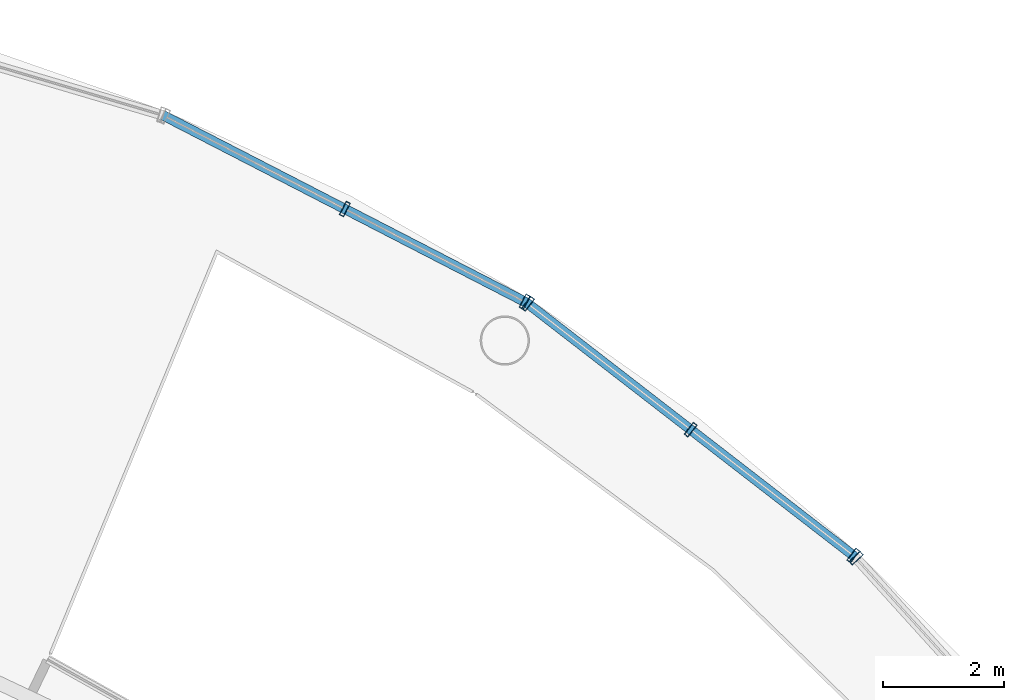
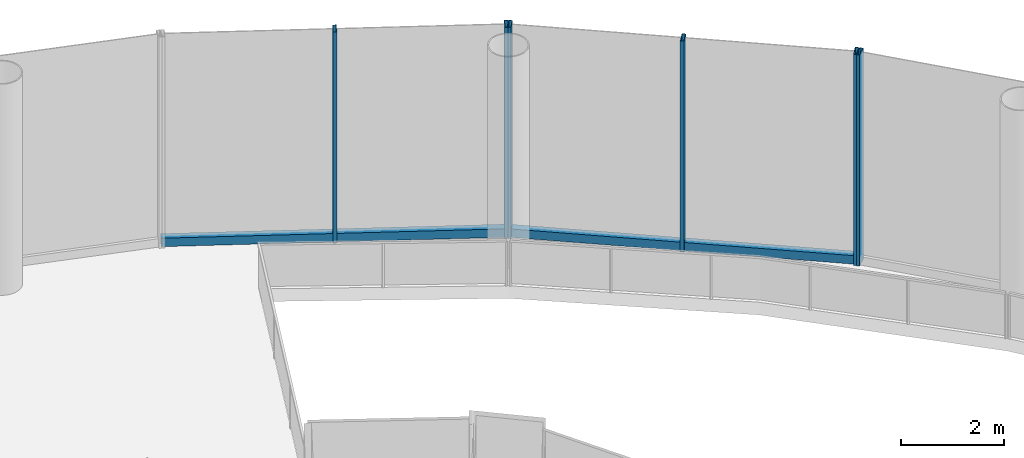
# One storey, part 36 of 48: 8 members, 3 elements without a shape of their own.
"""IFC4 building model written with IfcOpenShell, lengths in metres."""

from ifc_helpers import new_model, si_unit, direction, frame, origin, origin_2d, place, context, subcontext, project, spatial, hollow_rectangle, extrude, material, layer, layer_set, material_profile, profile_set, type_object, element, aggregate, save


model = new_model("IFC4")

# Units and contexts
model_context = context("Model", 3, precision=1e-05, world=origin(), true_north=direction((0.0, 1.0)))
body_context = subcontext(model_context, "Body", "Model", "MODEL_VIEW")
ifc_project = project(units=[si_unit("LENGTHUNIT", "METRE"), si_unit("AREAUNIT", "SQUARE_METRE"), si_unit("VOLUMEUNIT", "CUBIC_METRE"), si_unit("PLANEANGLEUNIT", "RADIAN"), si_unit("MASSUNIT", "GRAM", prefix="KILO")], contexts=[model_context])

# Site, building, storey
site_placement = place(None, origin())
site = spatial("IfcSite", under=ifc_project, at=site_placement, CompositionType="ELEMENT")
building_placement = place(site_placement, origin())
building = spatial("IfcBuilding", under=site, at=building_placement, Name="Nagisa Residences", CompositionType="ELEMENT")
storey_placement = place(building_placement, frame((0.0, 0.0, 12.0)))
storey = spatial("IfcBuildingStorey", under=building, at=storey_placement, Name="L02", CompositionType="ELEMENT", Elevation=12.0)

# Curtain wall, member
ifc_material_1 = material(Name="Stainless steel curtain wall system", Category="steel")
ifc_layer = layer(ifc_material_1, 0.159912109375)
ifc_layer_set = layer_set([ifc_layer], Name="CW3 CURTAIN WALL")
curtain_wall_type = type_object("IfcCurtainWallType", Name="CW3 CURTAIN WALL", PredefinedType="NOTDEFINED", material=ifc_layer_set)
curtain_wall_1_placement = place(storey_placement, origin())
curtain_wall_1 = element("IfcCurtainWall", 1, at=curtain_wall_1_placement, inside=storey, type_object=curtain_wall_type, Name="cw:CW3:L02:04", PredefinedType="NOTDEFINED")
ifc_material_2 = material(Name="Stainless steel", Category="steel")
ifc_material_profile_1 = material_profile(ifc_material_2, hollow_rectangle(XDim=0.25, YDim=0.080078125, WallThickness=0.008056640625, at=origin_2d()), Name="CW3 MULLION 250x80")
ifc_profile_set_1 = profile_set([ifc_material_profile_1], Name="Stainless steel")
member_type_1 = type_object("IfcMemberType", Name="CW3 MULLION 250x80", PredefinedType="MULLION", material=ifc_profile_set_1)
member_1_placement = place(storey_placement, frame((27.993408203125, 32.090576171875, 0.0), z_axis=(0.0, 0.0, 1.0), x_axis=(-0.741535779122, -0.670913323971, 0.0)))
member_1 = element("IfcMember", 2, at=member_1_placement, type_object=member_type_1, Name="CW3 mullion", PredefinedType="MULLION", context=body_context, shape_type="SweptSolid", body=[
    extrude(hollow_rectangle(XDim=0.25, YDim=0.080078125, WallThickness=0.008056640625, at=origin_2d()), origin(), (0.0, 0.0, 1.0), 5.0),
])
aggregate(curtain_wall_1, [member_1])

# Curtain wall, members
curtain_wall_2_placement = place(storey_placement, origin())
curtain_wall_2 = element("IfcCurtainWall", 3, at=curtain_wall_2_placement, inside=storey, type_object=curtain_wall_type, Name="cw:CW3:L02:05", PredefinedType="NOTDEFINED")
member_2_placement = place(storey_placement, frame((27.9453125, 32.135009765625, 0.0), z_axis=(0.0, 0.0, 1.0), x_axis=(-0.612034757172, -0.790830864353, 0.0)))
member_2 = element("IfcMember", 4, at=member_2_placement, type_object=member_type_1, Name="CW3 mullion", PredefinedType="MULLION", context=body_context, shape_type="SweptSolid", body=[
    extrude(hollow_rectangle(XDim=0.25, YDim=0.080078125, WallThickness=0.008056640625, at=origin_2d()), origin(), (0.0, 0.0, 1.0), 5.0),
])
member_3_placement = place(storey_placement, frame((25.263916015625, 34.210205078125, 0.0), z_axis=(0.0, 0.0, 1.0), x_axis=(-0.612034757172, -0.790830864353, 0.0)))
member_3 = element("IfcMember", 5, at=member_3_placement, type_object=member_type_1, Name="CW3 mullion", PredefinedType="MULLION", context=body_context, shape_type="SweptSolid", body=[
    extrude(hollow_rectangle(XDim=0.25, YDim=0.080078125, WallThickness=0.008056640625, at=origin_2d()), origin(), (0.0, 0.0, 1.0), 5.0),
])
member_4_placement = place(storey_placement, frame((22.582763671875, 36.285400390625, 0.0), z_axis=(0.0, 0.0, 1.0), x_axis=(-0.612034757172, -0.790830864353, 0.0)))
member_4 = element("IfcMember", 6, at=member_4_placement, type_object=member_type_1, Name="CW3 mullion", PredefinedType="MULLION", context=body_context, shape_type="SweptSolid", body=[
    extrude(hollow_rectangle(XDim=0.25, YDim=0.080078125, WallThickness=0.008056640625, at=origin_2d()), origin(), (0.0, 0.0, 1.0), 5.0),
])

curtain_wall_3_placement = place(storey_placement, origin())
curtain_wall_3 = element("IfcCurtainWall", 7, at=curtain_wall_3_placement, inside=storey, type_object=curtain_wall_type, Name="cw:CW3:L02:06", PredefinedType="NOTDEFINED")
member_5_placement = place(storey_placement, frame((22.52783203125, 36.3203125, 0.0), z_axis=(0.0, 0.0, 1.0), x_axis=(-0.45812598783, -0.888887270285, 0.0)))
member_5 = element("IfcMember", 8, at=member_5_placement, type_object=member_type_1, Name="CW3 mullion", PredefinedType="MULLION", context=body_context, shape_type="SweptSolid", body=[
    extrude(hollow_rectangle(XDim=0.25, YDim=0.080078125, WallThickness=0.008056640625, at=origin_2d()), origin(), (0.0, 0.0, 1.0), 5.0),
])
member_6_placement = place(storey_placement, frame((19.561767578125, 37.848876953125, 0.0), z_axis=(0.0, 0.0, 1.0), x_axis=(-0.45812598783, -0.888887270285, 0.0)))
member_6 = element("IfcMember", 9, at=member_6_placement, type_object=member_type_1, Name="CW3 mullion", PredefinedType="MULLION", context=body_context, shape_type="SweptSolid", body=[
    extrude(hollow_rectangle(XDim=0.25, YDim=0.080078125, WallThickness=0.008056640625, at=origin_2d()), origin(), (0.0, 0.0, 1.0), 5.0),
])

# Member
ifc_material_3 = material(Name="Stainless steel", Category="steel")
ifc_material_profile_2 = material_profile(ifc_material_3, hollow_rectangle(XDim=0.159912109375, YDim=0.199951171875, WallThickness=0.008056640625, at=origin_2d()), Name="CW3 TRANSOM 160x200")
ifc_profile_set_2 = profile_set([ifc_material_profile_2], Name="Stainless steel")
member_type_2 = type_object("IfcMemberType", Name="CW3 TRANSOM 160x200", PredefinedType="USERDEFINED", material=ifc_profile_set_2)
member_7_placement = place(storey_placement, frame((27.97705078125, 32.110595703125, 0.10009765625), z_axis=(-0.790834819486, 0.612029646576, 0.0), x_axis=(-0.612029646576, -0.790834819486, 0.0)))
member_7 = element("IfcMember", 10, at=member_7_placement, type_object=member_type_2, Name="CW3 transom", ObjectType="TRANSOM", PredefinedType="USERDEFINED", context=body_context, shape_type="SweptSolid", body=[
    extrude(hollow_rectangle(XDim=0.159912109375, YDim=0.199951171875, WallThickness=0.008056640625, at=origin_2d()), origin(), (0.0, 0.0, 1.0), 6.861083984375),
])

aggregate(curtain_wall_2, [member_2, member_3, member_4, member_7])

member_8_placement = place(storey_placement, frame((22.563232421875, 36.302001953125, 0.10009765625), z_axis=(-0.888887130152, 0.458126259726, 0.0), x_axis=(-0.458126259726, -0.888887130152, 0.0)))
member_8 = element("IfcMember", 11, at=member_8_placement, type_object=member_type_2, Name="CW3 transom", ObjectType="TRANSOM", PredefinedType="USERDEFINED", context=body_context, shape_type="SweptSolid", body=[
    extrude(hollow_rectangle(XDim=0.159912109375, YDim=0.199951171875, WallThickness=0.008056640625, at=origin_2d()), origin(), (0.0, 0.0, 1.0), 6.753662109375),
])

aggregate(curtain_wall_3, [member_5, member_6, member_8])

save(model, "model.ifc")
